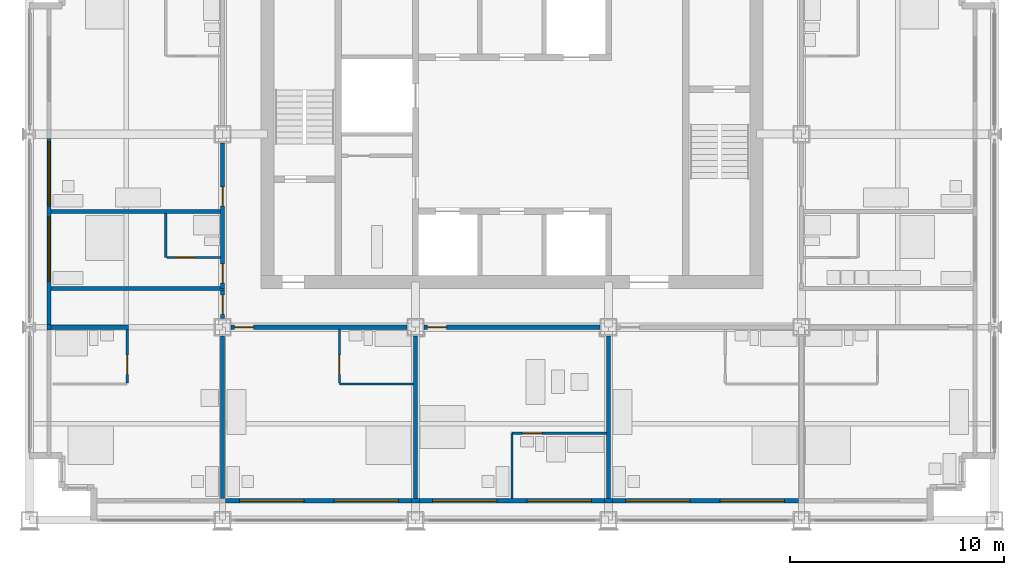
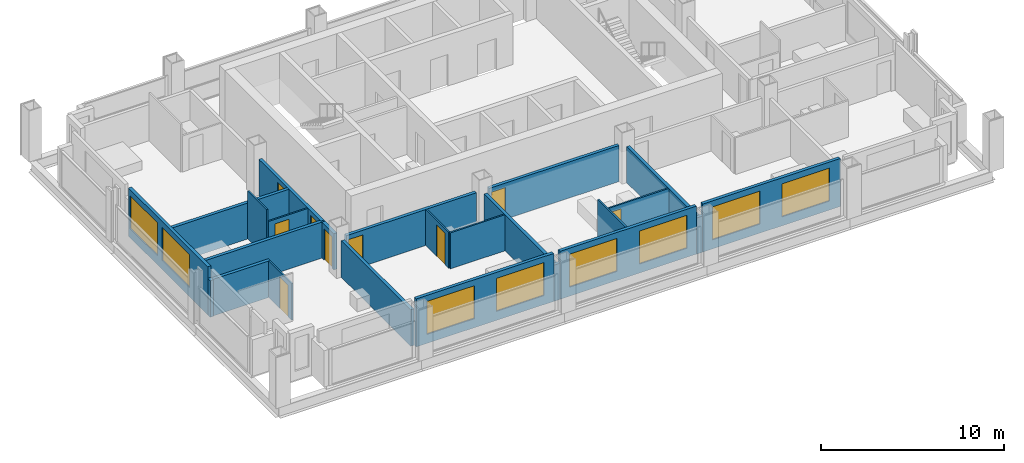
# One storey, part 7 of 13: 24 walls, 9 doors, 8 windows, 17 openings.
"""IFC4 building model written with IfcOpenShell, lengths in metres."""

from ifc_helpers import new_model, si_unit, direction, frame, frame_2d, origin, place, context, subcontext, project, spatial, rectangle, extrude, material, layer, layer_set, type_object, element, fill, save


model = new_model("IFC4")

# Units and contexts
model_context = context("Model", 3, precision=1e-05, world=origin(), true_north=direction((0.0, 1.0)))
body_context = subcontext(model_context, "Body", "Model", "MODEL_VIEW")
ifc_project = project(units=[si_unit("LENGTHUNIT", "METRE"), si_unit("AREAUNIT", "SQUARE_METRE"), si_unit("VOLUMEUNIT", "CUBIC_METRE"), si_unit("PLANEANGLEUNIT", "RADIAN"), si_unit("MASSUNIT", "GRAM", prefix="KILO")], contexts=[model_context])

# Site, building, storey
site_placement = place(None, origin())
site = spatial("IfcSite", under=ifc_project, at=site_placement, CompositionType="ELEMENT")
building_placement = place(site_placement, origin())
building = spatial("IfcBuilding", under=site, at=building_placement, Name="Loomwork Tower", CompositionType="ELEMENT")
storey_placement = place(building_placement, frame((0.0, 0.0, 177.39990234375)))
storey = spatial("IfcBuildingStorey", under=building, at=storey_placement, Name="L48", CompositionType="ELEMENT", Elevation=177.39990234375)

# Wall
ifc_material_1 = material(Name="Gypsum board on steel studs, one-hour", Category="steel")
ifc_layer_1 = layer(ifc_material_1, 0.199951171875)
ifc_layer_set_1 = layer_set([ifc_layer_1], Name="Corridor wall 200")
wall_type_1 = type_object("IfcWallType", Name="Corridor wall 200", PredefinedType="PARTITIONING", material=ifc_layer_set_1)
wall_1_placement = place(storey_placement, frame((1.0, 9.0, 0.0), z_axis=(0.0, 0.0, 1.0), x_axis=(1.0, 0.0, 0.0)))
element("IfcWall", 1, at=wall_1_placement, inside=storey, type_object=wall_type_1, Name="South corridor wall 1", PredefinedType="PARTITIONING", context=body_context, shape_type="SweptSolid", body=[
    extrude(rectangle(XDim=3.60009765625, YDim=0.199951171875, at=frame_2d((1.800048828125, 0.0))), origin(), (0.0, 0.0, 1.0), 2.43798828125),
])

# Wall, opening, door
wall_2_placement = place(storey_placement, frame((9.39990234375, 9.0, 0.0), z_axis=(0.0, 0.0, 1.0), x_axis=(1.0, 0.0, 0.0)))
wall_2 = element("IfcWall", 2, at=wall_2_placement, inside=storey, type_object=wall_type_1, Name="South corridor wall 2", PredefinedType="PARTITIONING", context=body_context, shape_type="SweptSolid", body=[
    extrude(rectangle(XDim=8.2001953125, YDim=0.199951171875, at=frame_2d((4.10009765625, 0.0))), origin(), (0.0, 0.0, 1.0), 2.405029296875),
])
opening_1_placement = place(wall_2_placement, frame((0.14990234375, 0.0, 0.0)))
opening_1 = element("IfcOpeningElement", 3, at=opening_1_placement, cuts=wall_2, Name="Opening D1", PredefinedType="OPENING", context=body_context, shape_type="SweptSolid", body=[
    extrude(rectangle(XDim=0.89990234375, YDim=2.10009765625, at=frame_2d((0.449951171875, 1.050048828125))), frame((0.0, 0.10986328125, 0.0), z_axis=(0.0, -1.0, 0.0), x_axis=(1.0, 0.0, 0.0)), (0.0, 0.0, 1.0), 0.219970703125),
])
ifc_material_2 = material(Name="Hollow metal door and frame")
door_type_1 = type_object("IfcDoorType", Name="Guest room entry door 900", OperationType="SINGLE_SWING_LEFT", PredefinedType="DOOR", material=ifc_material_2)
door_1_placement = place(opening_1_placement, frame((0.89990234375, 0.0, 0.0), z_axis=(0.0, 0.0, 1.0), x_axis=(-1.0, 0.0, 0.0)))
door_1 = element("IfcDoor", 4, at=door_1_placement, inside=storey, type_object=door_type_1, Name="Guest room entry door L48 2", OperationType="SINGLE_SWING_RIGHT", OverallHeight=2.10009765625, OverallWidth=0.89990234375, PredefinedType="DOOR", context=body_context, shape_type="SweptSolid", body=[
    extrude(rectangle(XDim=0.89990234375, YDim=2.10009765625, at=frame_2d((0.449951171875, 1.050048828125))), frame((0.0, 0.02490234375, 0.0), z_axis=(0.0, -1.0, 0.0), x_axis=(1.0, 0.0, 0.0)), (0.0, 0.0, 1.0), 0.050048828125),
])
fill(opening_1, door_1)

wall_3_placement = place(storey_placement, frame((18.39990234375, 9.0, 0.0), z_axis=(0.0, 0.0, 1.0), x_axis=(1.0, 0.0, 0.0)))
wall_3 = element("IfcWall", 5, at=wall_3_placement, inside=storey, type_object=wall_type_1, Name="South corridor wall 3", PredefinedType="PARTITIONING", context=body_context, shape_type="SweptSolid", body=[
    extrude(rectangle(XDim=8.2001953125, YDim=0.199951171875, at=frame_2d((4.10009765625, 0.0))), origin(), (0.0, 0.0, 1.0), 2.405029296875),
])
opening_2_placement = place(wall_3_placement, frame((0.14990234375, 0.0, 0.0)))
opening_2 = element("IfcOpeningElement", 6, at=opening_2_placement, cuts=wall_3, Name="Opening D1", PredefinedType="OPENING", context=body_context, shape_type="SweptSolid", body=[
    extrude(rectangle(XDim=0.89990234375, YDim=2.10009765625, at=frame_2d((0.449951171875, 1.050048828125))), frame((0.0, 0.10986328125, 0.0), z_axis=(0.0, -1.0, 0.0), x_axis=(1.0, 0.0, 0.0)), (0.0, 0.0, 1.0), 0.219970703125),
])
door_2_placement = place(opening_2_placement, frame((0.89990234375, 0.0, 0.0), z_axis=(0.0, 0.0, 1.0), x_axis=(-1.0, 0.0, 0.0)))
door_2 = element("IfcDoor", 7, at=door_2_placement, inside=storey, type_object=door_type_1, Name="Guest room entry door L48 3", OperationType="SINGLE_SWING_RIGHT", OverallHeight=2.10009765625, OverallWidth=0.89990234375, PredefinedType="DOOR", context=body_context, shape_type="SweptSolid", body=[
    extrude(rectangle(XDim=0.89990234375, YDim=2.10009765625, at=frame_2d((0.449951171875, 1.050048828125))), frame((0.0, 0.02490234375, 0.0), z_axis=(0.0, -1.0, 0.0), x_axis=(1.0, 0.0, 0.0)), (0.0, 0.0, 1.0), 0.050048828125),
])
fill(opening_2, door_2)

# Wall, openings, doors
wall_4_placement = place(storey_placement, frame((9.0, 10.800048828125, 0.0), z_axis=(0.0, 0.0, 1.0), x_axis=(0.0, 1.0, 0.0)))
wall_4 = element("IfcWall", 8, at=wall_4_placement, inside=storey, type_object=wall_type_1, Name="West corridor wall 1", PredefinedType="PARTITIONING", context=body_context, shape_type="SweptSolid", body=[
    extrude(rectangle(XDim=6.800048828125, YDim=0.199951171875, at=frame_2d((3.39990234375, 0.0))), origin(), (0.0, 0.0, 1.0), 2.405029296875),
])
opening_3_placement = place(wall_4_placement, frame((0.25, 0.0, 0.0)))
opening_3 = element("IfcOpeningElement", 9, at=opening_3_placement, cuts=wall_4, Name="Opening D1", PredefinedType="OPENING", context=body_context, shape_type="SweptSolid", body=[
    extrude(rectangle(XDim=0.89990234375, YDim=2.10009765625, at=frame_2d((0.449951171875, 1.050048828125))), frame((0.0, 0.10986328125, 0.0), z_axis=(0.0, -1.0, 0.0), x_axis=(1.0, 0.0, 0.0)), (0.0, 0.0, 1.0), 0.219970703125),
])
opening_4_placement = place(wall_4_placement, frame((3.85009765625, 0.0, 0.0)))
opening_4 = element("IfcOpeningElement", 10, at=opening_4_placement, cuts=wall_4, Name="Opening D1", PredefinedType="OPENING", context=body_context, shape_type="SweptSolid", body=[
    extrude(rectangle(XDim=0.89990234375, YDim=2.10009765625, at=frame_2d((0.449951171875, 1.050048828125))), frame((0.0, 0.10986328125, 0.0), z_axis=(0.0, -1.0, 0.0), x_axis=(1.0, 0.0, 0.0)), (0.0, 0.0, 1.0), 0.219970703125),
])
door_3_placement = place(opening_3_placement, origin())
door_3 = element("IfcDoor", 11, at=door_3_placement, inside=storey, type_object=door_type_1, Name="Guest room entry door L48 6", OperationType="SINGLE_SWING_LEFT", OverallHeight=2.10009765625, OverallWidth=0.89990234375, PredefinedType="DOOR", context=body_context, shape_type="SweptSolid", body=[
    extrude(rectangle(XDim=0.89990234375, YDim=2.10009765625, at=frame_2d((0.449951171875, 1.050048828125))), frame((0.0, 0.02490234375, 0.0), z_axis=(0.0, -1.0, 0.0), x_axis=(1.0, 0.0, 0.0)), (0.0, 0.0, 1.0), 0.050048828125),
])
fill(opening_3, door_3)
door_4_placement = place(opening_4_placement, origin())
door_4 = element("IfcDoor", 12, at=door_4_placement, inside=storey, type_object=door_type_1, Name="Guest room entry door L48 7", OperationType="SINGLE_SWING_LEFT", OverallHeight=2.10009765625, OverallWidth=0.89990234375, PredefinedType="DOOR", context=body_context, shape_type="SweptSolid", body=[
    extrude(rectangle(XDim=0.89990234375, YDim=2.10009765625, at=frame_2d((0.449951171875, 1.050048828125))), frame((0.0, 0.02490234375, 0.0), z_axis=(0.0, -1.0, 0.0), x_axis=(1.0, 0.0, 0.0)), (0.0, 0.0, 1.0), 0.050048828125),
])
fill(opening_4, door_4)

# Wall
wall_5_placement = place(storey_placement, frame((1.0, 10.800048828125, 0.0), z_axis=(0.0, 0.0, 1.0), x_axis=(1.0, 0.0, 0.0)))
element("IfcWall", 13, at=wall_5_placement, inside=storey, type_object=wall_type_1, Name="West band end wall S", PredefinedType="PARTITIONING", context=body_context, shape_type="SweptSolid", body=[
    extrude(rectangle(XDim=8.10009765625, YDim=0.199951171875, at=frame_2d((4.050048828125, 0.0))), origin(), (0.0, 0.0, 1.0), 2.404052734375),
])

# Wall, opening, door
wall_6_placement = place(storey_placement, frame((9.0, 9.39990234375, 0.0), z_axis=(0.0, 0.0, 1.0), x_axis=(0.0, 1.0, 0.0)))
wall_6 = element("IfcWall", 14, at=wall_6_placement, inside=storey, type_object=wall_type_1, Name="Corner suite foyer wall", PredefinedType="PARTITIONING", context=body_context, shape_type="SweptSolid", body=[
    extrude(rectangle(XDim=1.300048828125, YDim=0.199951171875, at=frame_2d((0.64990234375, 0.0))), origin(), (0.0, 0.0, 1.0), 2.405029296875),
])
opening_5_placement = place(wall_6_placement, frame((0.199951171875, 0.0, 0.0)))
opening_5 = element("IfcOpeningElement", 15, at=opening_5_placement, cuts=wall_6, Name="Opening D1", PredefinedType="OPENING", context=body_context, shape_type="SweptSolid", body=[
    extrude(rectangle(XDim=0.89990234375, YDim=2.10009765625, at=frame_2d((0.449951171875, 1.050048828125))), frame((0.0, 0.10986328125, 0.0), z_axis=(0.0, -1.0, 0.0), x_axis=(1.0, 0.0, 0.0)), (0.0, 0.0, 1.0), 0.219970703125),
])
door_5_placement = place(opening_5_placement, origin())
door_5 = element("IfcDoor", 16, at=door_5_placement, inside=storey, type_object=door_type_1, Name="Guest room entry door L48 1", OperationType="SINGLE_SWING_RIGHT", OverallHeight=2.10009765625, OverallWidth=0.89990234375, PredefinedType="DOOR", context=body_context, shape_type="SweptSolid", body=[
    extrude(rectangle(XDim=0.89990234375, YDim=2.10009765625, at=frame_2d((0.449951171875, 1.050048828125))), frame((0.0, 0.02490234375, 0.0), z_axis=(0.0, -1.0, 0.0), x_axis=(1.0, 0.0, 0.0)), (0.0, 0.0, 1.0), 0.050048828125),
])
fill(opening_5, door_5)

ifc_material_3 = material(Name="Cement board on steel studs", Category="steel")
ifc_layer_2 = layer(ifc_material_3, 0.10009765625)
ifc_layer_set_2 = layer_set([ifc_layer_2], Name="En-suite partition 100")
wall_type_2 = type_object("IfcWallType", Name="En-suite partition 100", PredefinedType="PARTITIONING", material=ifc_layer_set_2)
wall_7_placement = place(storey_placement, frame((4.550048828125, 8.89990234375, 0.0), z_axis=(0.0, 0.0, 1.0), x_axis=(0.0, -1.0, 0.0)))
wall_7 = element("IfcWall", 17, at=wall_7_placement, inside=storey, type_object=wall_type_2, Name="En-suite side wall L48 room 1", PredefinedType="PARTITIONING", context=body_context, shape_type="SweptSolid", body=[
    extrude(rectangle(XDim=2.5, YDim=0.10009765625, at=frame_2d((1.25, 0.0))), origin(), (0.0, 0.0, 1.0), 2.43798828125),
])
opening_6_placement = place(wall_7_placement, frame((1.199951171875, 0.0, 0.0)))
opening_6 = element("IfcOpeningElement", 18, at=opening_6_placement, cuts=wall_7, Name="Opening D3", PredefinedType="OPENING", context=body_context, shape_type="SweptSolid", body=[
    extrude(rectangle(XDim=0.89990234375, YDim=2.10009765625, at=frame_2d((0.449951171875, 1.050048828125))), frame((0.0, 0.06005859375, 0.0), z_axis=(0.0, -1.0, 0.0), x_axis=(1.0, 0.0, 0.0)), (0.0, 0.0, 1.0), 0.1201171875),
])
ifc_material_4 = material(Name="Hollow metal door and frame")
door_type_2 = type_object("IfcDoorType", Name="Accessible en-suite door 900", OperationType="SLIDING_TO_LEFT", PredefinedType="DOOR", material=ifc_material_4)
door_6_placement = place(opening_6_placement, origin())
door_6 = element("IfcDoor", 19, at=door_6_placement, inside=storey, type_object=door_type_2, Name="Accessible en-suite door room 1", OperationType="SLIDING_TO_LEFT", OverallHeight=2.10009765625, OverallWidth=0.89990234375, PredefinedType="DOOR", context=body_context, shape_type="SweptSolid", body=[
    extrude(rectangle(XDim=0.89990234375, YDim=2.10009765625, at=frame_2d((0.449951171875, 1.050048828125))), frame((0.0, 0.02490234375, 0.0), z_axis=(0.0, -1.0, 0.0), x_axis=(1.0, 0.0, 0.0)), (0.0, 0.0, 1.0), 0.050048828125),
])
fill(opening_6, door_6)

# Wall
wall_8_placement = place(storey_placement, frame((14.449951171875, 6.35009765625, 0.0), z_axis=(0.0, 0.0, 1.0), x_axis=(1.0, 0.0, 0.0)))
element("IfcWall", 20, at=wall_8_placement, inside=storey, type_object=wall_type_2, Name="En-suite wall L48 room 2", PredefinedType="PARTITIONING", context=body_context, shape_type="SweptSolid", body=[
    extrude(rectangle(XDim=3.449951171875, YDim=0.10009765625, at=frame_2d((1.72509765625, 0.0))), origin(), (0.0, 0.0, 1.0), 2.404052734375),
])

# Wall, opening, door
wall_9_placement = place(storey_placement, frame((14.449951171875, 8.89990234375, 0.0), z_axis=(0.0, 0.0, 1.0), x_axis=(0.0, -1.0, 0.0)))
wall_9 = element("IfcWall", 21, at=wall_9_placement, inside=storey, type_object=wall_type_2, Name="En-suite side wall L48 room 2", PredefinedType="PARTITIONING", context=body_context, shape_type="SweptSolid", body=[
    extrude(rectangle(XDim=2.5, YDim=0.10009765625, at=frame_2d((1.25, 0.0))), origin(), (0.0, 0.0, 1.0), 2.404052734375),
])
opening_7_placement = place(wall_9_placement, frame((1.199951171875, 0.0, 0.0)))
opening_7 = element("IfcOpeningElement", 22, at=opening_7_placement, cuts=wall_9, Name="Opening D2", PredefinedType="OPENING", context=body_context, shape_type="SweptSolid", body=[
    extrude(rectangle(XDim=0.89990234375, YDim=2.10009765625, at=frame_2d((0.449951171875, 1.050048828125))), frame((0.0, 0.06005859375, 0.0), z_axis=(0.0, -1.0, 0.0), x_axis=(1.0, 0.0, 0.0)), (0.0, 0.0, 1.0), 0.1201171875),
])
ifc_material_5 = material(Name="Hollow metal door and frame")
door_type_3 = type_object("IfcDoorType", Name="En-suite door 900", OperationType="SINGLE_SWING_LEFT", PredefinedType="DOOR", material=ifc_material_5)
door_7_placement = place(opening_7_placement, origin())
door_7 = element("IfcDoor", 23, at=door_7_placement, inside=storey, type_object=door_type_3, Name="En-suite door room 2", OperationType="SINGLE_SWING_RIGHT", OverallHeight=2.10009765625, OverallWidth=0.89990234375, PredefinedType="DOOR", context=body_context, shape_type="SweptSolid", body=[
    extrude(rectangle(XDim=0.89990234375, YDim=2.10009765625, at=frame_2d((0.449951171875, 1.050048828125))), frame((0.0, 0.02490234375, 0.0), z_axis=(0.0, -1.0, 0.0), x_axis=(1.0, 0.0, 0.0)), (0.0, 0.0, 1.0), 0.050048828125),
])
fill(opening_7, door_7)

wall_10_placement = place(storey_placement, frame((22.5, 4.050048828125, 0.0), z_axis=(0.0, 0.0, 1.0), x_axis=(1.0, 0.0, 0.0)))
wall_10 = element("IfcWall", 24, at=wall_10_placement, inside=storey, type_object=wall_type_2, Name="Spa bathroom wall L48 room 3", PredefinedType="PARTITIONING", context=body_context, shape_type="SweptSolid", body=[
    extrude(rectangle(XDim=4.39990234375, YDim=0.10009765625, at=frame_2d((2.199951171875, 0.0))), origin(), (0.0, 0.0, 1.0), 2.404052734375),
])
opening_8_placement = place(wall_10_placement, frame((0.5, 0.0, 0.0)))
opening_8 = element("IfcOpeningElement", 25, at=opening_8_placement, cuts=wall_10, Name="Opening D2", PredefinedType="OPENING", context=body_context, shape_type="SweptSolid", body=[
    extrude(rectangle(XDim=0.89990234375, YDim=2.10009765625, at=frame_2d((0.449951171875, 1.050048828125))), frame((0.0, 0.06005859375, 0.0), z_axis=(0.0, -1.0, 0.0), x_axis=(1.0, 0.0, 0.0)), (0.0, 0.0, 1.0), 0.1201171875),
])
door_8_placement = place(opening_8_placement, frame((0.89990234375, 0.0, 0.0), z_axis=(0.0, 0.0, 1.0), x_axis=(-1.0, 0.0, 0.0)))
door_8 = element("IfcDoor", 26, at=door_8_placement, inside=storey, type_object=door_type_3, Name="Spa bathroom door room 3", OperationType="SINGLE_SWING_RIGHT", OverallHeight=2.10009765625, OverallWidth=0.89990234375, PredefinedType="DOOR", context=body_context, shape_type="SweptSolid", body=[
    extrude(rectangle(XDim=0.89990234375, YDim=2.10009765625, at=frame_2d((0.449951171875, 1.050048828125))), frame((0.0, 0.02490234375, 0.0), z_axis=(0.0, -1.0, 0.0), x_axis=(1.0, 0.0, 0.0)), (0.0, 0.0, 1.0), 0.050048828125),
])
fill(opening_8, door_8)

# Walls
wall_11_placement = place(storey_placement, frame((22.5, 4.050048828125, 0.0), z_axis=(0.0, 0.0, 1.0), x_axis=(0.0, -1.0, 0.0)))
element("IfcWall", 27, at=wall_11_placement, inside=storey, type_object=wall_type_2, Name="Spa bathroom side wall L48 room 3", PredefinedType="PARTITIONING", context=body_context, shape_type="SweptSolid", body=[
    extrude(rectangle(XDim=3.050048828125, YDim=0.10009765625, at=frame_2d((1.52490234375, 0.0))), origin(), (0.0, 0.0, 1.0), 3.2001953125),
])
wall_12_placement = place(storey_placement, frame((6.35009765625, 12.25, 0.0), z_axis=(0.0, 0.0, 1.0), x_axis=(0.0, 1.0, 0.0)))
element("IfcWall", 28, at=wall_12_placement, inside=storey, type_object=wall_type_2, Name="En-suite wall L48 room 6", PredefinedType="PARTITIONING", context=body_context, shape_type="SweptSolid", body=[
    extrude(rectangle(XDim=2.050048828125, YDim=0.10009765625, at=frame_2d((1.02490234375, 0.0))), origin(), (0.0, 0.0, 1.0), 3.2001953125),
])

# Wall, opening, door
wall_13_placement = place(storey_placement, frame((8.89990234375, 12.25, 0.0), z_axis=(0.0, 0.0, 1.0), x_axis=(-1.0, 0.0, 0.0)))
wall_13 = element("IfcWall", 29, at=wall_13_placement, inside=storey, type_object=wall_type_2, Name="En-suite side wall L48 room 6", PredefinedType="PARTITIONING", context=body_context, shape_type="SweptSolid", body=[
    extrude(rectangle(XDim=2.5, YDim=0.10009765625, at=frame_2d((1.25, 0.0))), origin(), (0.0, 0.0, 1.0), 2.404052734375),
])
opening_9_placement = place(wall_13_placement, frame((1.199951171875, 0.0, 0.0)))
opening_9 = element("IfcOpeningElement", 30, at=opening_9_placement, cuts=wall_13, Name="Opening D2", PredefinedType="OPENING", context=body_context, shape_type="SweptSolid", body=[
    extrude(rectangle(XDim=0.89990234375, YDim=2.10009765625, at=frame_2d((0.449951171875, 1.050048828125))), frame((0.0, 0.06005859375, 0.0), z_axis=(0.0, -1.0, 0.0), x_axis=(1.0, 0.0, 0.0)), (0.0, 0.0, 1.0), 0.1201171875),
])
door_9_placement = place(opening_9_placement, frame((0.89990234375, 0.0, 0.0), z_axis=(0.0, 0.0, 1.0), x_axis=(-1.0, 0.0, 0.0)))
door_9 = element("IfcDoor", 31, at=door_9_placement, inside=storey, type_object=door_type_3, Name="En-suite door room 6", OperationType="SINGLE_SWING_LEFT", OverallHeight=2.10009765625, OverallWidth=0.89990234375, PredefinedType="DOOR", context=body_context, shape_type="SweptSolid", body=[
    extrude(rectangle(XDim=0.89990234375, YDim=2.10009765625, at=frame_2d((0.449951171875, 1.050048828125))), frame((0.0, 0.02490234375, 0.0), z_axis=(0.0, -1.0, 0.0), x_axis=(1.0, 0.0, 0.0)), (0.0, 0.0, 1.0), 0.050048828125),
])
fill(opening_9, door_9)

# Walls
ifc_material_6 = material(Name="Gypsum board on steel studs, acoustic", Category="steel")
ifc_layer_3 = layer(ifc_material_6, 0.199951171875)
ifc_layer_set_3 = layer_set([ifc_layer_3], Name="Guest room party wall 200")
wall_type_3 = type_object("IfcWallType", Name="Guest room party wall 200", PredefinedType="PARTITIONING", material=ifc_layer_set_3)
wall_14_placement = place(storey_placement, frame((9.0, 8.60009765625, 0.0), z_axis=(0.0, 0.0, 1.0), x_axis=(0.0, -1.0, 0.0)))
element("IfcWall", 32, at=wall_14_placement, inside=storey, type_object=wall_type_3, Name="Guest room party wall S 9", PredefinedType="PARTITIONING", context=body_context, shape_type="SweptSolid", body=[
    extrude(rectangle(XDim=7.60009765625, YDim=0.199951171875, at=frame_2d((3.800048828125, 0.0))), origin(), (0.0, 0.0, 1.0), 2.43798828125),
])
for number, where, z_axis, x_axis, name in (
    (33, (18.0, 8.60009765625, 0.0), (0.0, 0.0, 1.0), (0.0, -1.0, 0.0), "Guest room party wall S 18"),
    (34, (27.0, 8.60009765625, 0.0), (0.0, 0.0, 1.0), (0.0, -1.0, 0.0), "Guest room party wall S 27"),
):
    element("IfcWall", number, at=place(storey_placement, frame(where, z_axis=z_axis, x_axis=x_axis)), inside=storey, type_object=wall_type_3, Name=name, PredefinedType="PARTITIONING", context=body_context, shape_type="SweptSolid", body=[
        extrude(rectangle(XDim=7.60009765625, YDim=0.199951171875, at=frame_2d((3.800048828125, 0.0))), origin(), (0.0, 0.0, 1.0), 2.405029296875),
    ])
wall_15_placement = place(storey_placement, frame((8.89990234375, 14.39990234375, 0.0), z_axis=(0.0, 0.0, 1.0), x_axis=(-1.0, 0.0, 0.0)))
element("IfcWall", 35, at=wall_15_placement, inside=storey, type_object=wall_type_3, Name="Guest room party wall W 14.4", PredefinedType="PARTITIONING", context=body_context, shape_type="SweptSolid", body=[
    extrude(rectangle(XDim=7.89990234375, YDim=0.199951171875, at=frame_2d((3.949951171875, 0.0))), origin(), (0.0, 0.0, 1.0), 2.404052734375),
])

# Wall, openings, windows
ifc_material_7 = material(Name="Insulated steel stud wall with gypsum lining", Category="steel")
ifc_layer_4 = layer(ifc_material_7, 0.199951171875)
ifc_layer_set_4 = layer_set([ifc_layer_4], Name="Inner skin wall 200")
wall_type_4 = type_object("IfcWallType", Name="Inner skin wall 200", PredefinedType="SOLIDWALL", material=ifc_layer_set_4)
wall_16_placement = place(storey_placement, frame((9.13525390625, 0.89990234375, 0.0), z_axis=(0.0, 0.0, 1.0), x_axis=(1.0, 0.0, 0.0)))
wall_16 = element("IfcWall", 36, at=wall_16_placement, inside=storey, type_object=wall_type_4, Name="Inner skin wall S bay 3", PredefinedType="SOLIDWALL", context=body_context, shape_type="SweptSolid", body=[
    extrude(rectangle(XDim=8.6708984375, YDim=0.199951171875, at=frame_2d((4.33544921875, 0.0))), origin(), (0.0, 0.0, 1.0), 3.2001953125),
])
opening_10_placement = place(wall_16_placement, frame((0.664794921875, 0.0, 0.60009765625)))
opening_10 = element("IfcOpeningElement", 37, at=opening_10_placement, cuts=wall_16, Name="Opening CH1", PredefinedType="OPENING", context=body_context, shape_type="SweptSolid", body=[
    extrude(rectangle(XDim=3.0, YDim=2.199951171875, at=frame_2d((1.5, 1.10009765625))), frame((0.0, 0.10986328125, 0.0), z_axis=(0.0, -1.0, 0.0), x_axis=(1.0, 0.0, 0.0)), (0.0, 0.0, 1.0), 0.219970703125),
])
opening_11_placement = place(wall_16_placement, frame((5.064697265625, 0.0, 0.60009765625)))
opening_11 = element("IfcOpeningElement", 38, at=opening_11_placement, cuts=wall_16, Name="Opening CH1", PredefinedType="OPENING", context=body_context, shape_type="SweptSolid", body=[
    extrude(rectangle(XDim=3.0, YDim=2.199951171875, at=frame_2d((1.5, 1.10009765625))), frame((0.0, 0.10986328125, 0.0), z_axis=(0.0, -1.0, 0.0), x_axis=(1.0, 0.0, 0.0)), (0.0, 0.0, 1.0), 0.219970703125),
])
ifc_material_8 = material(Name="Aluminium frame with clear insulated glass", Category="aluminium")
window_type = type_object("IfcWindowType", Name="Chicago window 3000", PartitioningType="TRIPLE_PANEL_VERTICAL", PredefinedType="WINDOW", material=ifc_material_8)
window_1_placement = place(opening_10_placement, origin())
window_1 = element("IfcWindow", 39, at=window_1_placement, inside=storey, type_object=window_type, Name="Chicago window L48 bay 2", OverallHeight=2.199951171875, OverallWidth=3.0, PartitioningType="TRIPLE_PANEL_VERTICAL", PredefinedType="WINDOW", context=body_context, shape_type="SweptSolid", body=[
    extrude(rectangle(XDim=3.0, YDim=2.199951171875, at=frame_2d((1.5, 1.10009765625))), frame((0.0, 0.030029296875, 0.0), z_axis=(0.0, -1.0, 0.0), x_axis=(1.0, 0.0, 0.0)), (0.0, 0.0, 1.0), 0.06005859375),
])
fill(opening_10, window_1)
window_2_placement = place(opening_11_placement, origin())
window_2 = element("IfcWindow", 40, at=window_2_placement, inside=storey, type_object=window_type, Name="Chicago window L48 bay 2", OverallHeight=2.199951171875, OverallWidth=3.0, PartitioningType="TRIPLE_PANEL_VERTICAL", PredefinedType="WINDOW", context=body_context, shape_type="SweptSolid", body=[
    extrude(rectangle(XDim=3.0, YDim=2.199951171875, at=frame_2d((1.5, 1.10009765625))), frame((0.0, 0.030029296875, 0.0), z_axis=(0.0, -1.0, 0.0), x_axis=(1.0, 0.0, 0.0)), (0.0, 0.0, 1.0), 0.06005859375),
])
fill(opening_11, window_2)

# Wall
wall_17_placement = place(storey_placement, frame((17.80615234375, 0.89990234375, 0.0), z_axis=(0.0, 0.0, 1.0), x_axis=(1.0, 0.0, 0.0)))
element("IfcWall", 41, at=wall_17_placement, inside=storey, type_object=wall_type_4, Name="Inner skin wall S bay 4", PredefinedType="SOLIDWALL", context=body_context, shape_type="SweptSolid", body=[
    extrude(rectangle(XDim=0.3876953125, YDim=0.199951171875, at=frame_2d((0.19384765625, 0.0))), origin(), (0.0, 0.0, 1.0), 2.404052734375),
])

# Wall, openings, windows
wall_18_placement = place(storey_placement, frame((18.19384765625, 0.89990234375, 0.0), z_axis=(0.0, 0.0, 1.0), x_axis=(1.0, 0.0, 0.0)))
wall_18 = element("IfcWall", 42, at=wall_18_placement, inside=storey, type_object=wall_type_4, Name="Inner skin wall S bay 5", PredefinedType="SOLIDWALL", context=body_context, shape_type="SweptSolid", body=[
    extrude(rectangle(XDim=8.6123046875, YDim=0.199951171875, at=frame_2d((4.30615234375, 0.0))), origin(), (0.0, 0.0, 1.0), 3.2001953125),
])
opening_12_placement = place(wall_18_placement, frame((0.606201171875, 0.0, 0.60009765625)))
opening_12 = element("IfcOpeningElement", 43, at=opening_12_placement, cuts=wall_18, Name="Opening CH1", PredefinedType="OPENING", context=body_context, shape_type="SweptSolid", body=[
    extrude(rectangle(XDim=3.0, YDim=2.199951171875, at=frame_2d((1.5, 1.10009765625))), frame((0.0, 0.10986328125, 0.0), z_axis=(0.0, -1.0, 0.0), x_axis=(1.0, 0.0, 0.0)), (0.0, 0.0, 1.0), 0.219970703125),
])
opening_13_placement = place(wall_18_placement, frame((5.006103515625, 0.0, 0.60009765625)))
opening_13 = element("IfcOpeningElement", 44, at=opening_13_placement, cuts=wall_18, Name="Opening CH1", PredefinedType="OPENING", context=body_context, shape_type="SweptSolid", body=[
    extrude(rectangle(XDim=3.0, YDim=2.199951171875, at=frame_2d((1.5, 1.10009765625))), frame((0.0, 0.10986328125, 0.0), z_axis=(0.0, -1.0, 0.0), x_axis=(1.0, 0.0, 0.0)), (0.0, 0.0, 1.0), 0.219970703125),
])
window_3_placement = place(opening_12_placement, origin())
window_3 = element("IfcWindow", 45, at=window_3_placement, inside=storey, type_object=window_type, Name="Chicago window L48 bay 3", OverallHeight=2.199951171875, OverallWidth=3.0, PartitioningType="TRIPLE_PANEL_VERTICAL", PredefinedType="WINDOW", context=body_context, shape_type="SweptSolid", body=[
    extrude(rectangle(XDim=3.0, YDim=2.199951171875, at=frame_2d((1.5, 1.10009765625))), frame((0.0, 0.030029296875, 0.0), z_axis=(0.0, -1.0, 0.0), x_axis=(1.0, 0.0, 0.0)), (0.0, 0.0, 1.0), 0.06005859375),
])
fill(opening_12, window_3)
window_4_placement = place(opening_13_placement, origin())
window_4 = element("IfcWindow", 46, at=window_4_placement, inside=storey, type_object=window_type, Name="Chicago window L48 bay 3", OverallHeight=2.199951171875, OverallWidth=3.0, PartitioningType="TRIPLE_PANEL_VERTICAL", PredefinedType="WINDOW", context=body_context, shape_type="SweptSolid", body=[
    extrude(rectangle(XDim=3.0, YDim=2.199951171875, at=frame_2d((1.5, 1.10009765625))), frame((0.0, 0.030029296875, 0.0), z_axis=(0.0, -1.0, 0.0), x_axis=(1.0, 0.0, 0.0)), (0.0, 0.0, 1.0), 0.06005859375),
])
fill(opening_13, window_4)

# Wall
wall_19_placement = place(storey_placement, frame((26.80615234375, 0.89990234375, 0.0), z_axis=(0.0, 0.0, 1.0), x_axis=(1.0, 0.0, 0.0)))
element("IfcWall", 47, at=wall_19_placement, inside=storey, type_object=wall_type_4, Name="Inner skin wall S bay 6", PredefinedType="SOLIDWALL", context=body_context, shape_type="SweptSolid", body=[
    extrude(rectangle(XDim=0.3876953125, YDim=0.199951171875, at=frame_2d((0.19384765625, 0.0))), origin(), (0.0, 0.0, 1.0), 2.404052734375),
])

# Wall, openings, windows
wall_20_placement = place(storey_placement, frame((27.19384765625, 0.89990234375, 0.0), z_axis=(0.0, 0.0, 1.0), x_axis=(1.0, 0.0, 0.0)))
wall_20 = element("IfcWall", 48, at=wall_20_placement, inside=storey, type_object=wall_type_4, Name="Inner skin wall S bay 7", PredefinedType="SOLIDWALL", context=body_context, shape_type="SweptSolid", body=[
    extrude(rectangle(XDim=8.670654296875, YDim=0.199951171875, at=frame_2d((4.33544921875, 0.0))), origin(), (0.0, 0.0, 1.0), 3.2001953125),
])
opening_14_placement = place(wall_20_placement, frame((0.606201171875, 0.0, 0.60009765625)))
opening_14 = element("IfcOpeningElement", 49, at=opening_14_placement, cuts=wall_20, Name="Opening CH1", PredefinedType="OPENING", context=body_context, shape_type="SweptSolid", body=[
    extrude(rectangle(XDim=3.0, YDim=2.199951171875, at=frame_2d((1.5, 1.10009765625))), frame((0.0, 0.10986328125, 0.0), z_axis=(0.0, -1.0, 0.0), x_axis=(1.0, 0.0, 0.0)), (0.0, 0.0, 1.0), 0.219970703125),
])
opening_15_placement = place(wall_20_placement, frame((5.006103515625, 0.0, 0.60009765625)))
opening_15 = element("IfcOpeningElement", 50, at=opening_15_placement, cuts=wall_20, Name="Opening CH1", PredefinedType="OPENING", context=body_context, shape_type="SweptSolid", body=[
    extrude(rectangle(XDim=3.0, YDim=2.199951171875, at=frame_2d((1.5, 1.10009765625))), frame((0.0, 0.10986328125, 0.0), z_axis=(0.0, -1.0, 0.0), x_axis=(1.0, 0.0, 0.0)), (0.0, 0.0, 1.0), 0.219970703125),
])
window_5_placement = place(opening_14_placement, origin())
window_5 = element("IfcWindow", 51, at=window_5_placement, inside=storey, type_object=window_type, Name="Chicago window L48 bay 4", OverallHeight=2.199951171875, OverallWidth=3.0, PartitioningType="TRIPLE_PANEL_VERTICAL", PredefinedType="WINDOW", context=body_context, shape_type="SweptSolid", body=[
    extrude(rectangle(XDim=3.0, YDim=2.199951171875, at=frame_2d((1.5, 1.10009765625))), frame((0.0, 0.030029296875, 0.0), z_axis=(0.0, -1.0, 0.0), x_axis=(1.0, 0.0, 0.0)), (0.0, 0.0, 1.0), 0.06005859375),
])
fill(opening_14, window_5)
window_6_placement = place(opening_15_placement, origin())
window_6 = element("IfcWindow", 52, at=window_6_placement, inside=storey, type_object=window_type, Name="Chicago window L48 bay 4", OverallHeight=2.199951171875, OverallWidth=3.0, PartitioningType="TRIPLE_PANEL_VERTICAL", PredefinedType="WINDOW", context=body_context, shape_type="SweptSolid", body=[
    extrude(rectangle(XDim=3.0, YDim=2.199951171875, at=frame_2d((1.5, 1.10009765625))), frame((0.0, 0.030029296875, 0.0), z_axis=(0.0, -1.0, 0.0), x_axis=(1.0, 0.0, 0.0)), (0.0, 0.0, 1.0), 0.06005859375),
])
fill(opening_15, window_6)

# Wall
wall_21_placement = place(storey_placement, frame((0.89990234375, 8.86474609375, 0.0), z_axis=(0.0, 0.0, 1.0), x_axis=(0.0, 1.0, 0.0)))
element("IfcWall", 53, at=wall_21_placement, inside=storey, type_object=wall_type_4, Name="Inner skin wall W bay 4", PredefinedType="SOLIDWALL", context=body_context, shape_type="SweptSolid", body=[
    extrude(rectangle(XDim=0.2705078125, YDim=0.199951171875, at=frame_2d((0.13525390625, 0.0))), origin(), (0.0, 0.0, 1.0), 2.43798828125),
])

# Wall, openings, windows
wall_22_placement = place(storey_placement, frame((0.89990234375, 9.13525390625, 0.0), z_axis=(0.0, 0.0, 1.0), x_axis=(0.0, 1.0, 0.0)))
wall_22 = element("IfcWall", 54, at=wall_22_placement, inside=storey, type_object=wall_type_4, Name="Inner skin wall W bay 5", PredefinedType="SOLIDWALL", context=body_context, shape_type="SweptSolid", body=[
    extrude(rectangle(XDim=8.6708984375, YDim=0.199951171875, at=frame_2d((4.33544921875, 0.0))), origin(), (0.0, 0.0, 1.0), 3.2001953125),
])
opening_16_placement = place(wall_22_placement, frame((2.0146484375, 0.0, 0.60009765625)))
opening_16 = element("IfcOpeningElement", 55, at=opening_16_placement, cuts=wall_22, Name="Opening CH1", PredefinedType="OPENING", context=body_context, shape_type="SweptSolid", body=[
    extrude(rectangle(XDim=3.0, YDim=2.199951171875, at=frame_2d((1.5, 1.10009765625))), frame((0.0, 0.10986328125, 0.0), z_axis=(0.0, -1.0, 0.0), x_axis=(1.0, 0.0, 0.0)), (0.0, 0.0, 1.0), 0.219970703125),
])
opening_17_placement = place(wall_22_placement, frame((5.5146484375, 0.0, 0.60009765625)))
opening_17 = element("IfcOpeningElement", 56, at=opening_17_placement, cuts=wall_22, Name="Opening CH1", PredefinedType="OPENING", context=body_context, shape_type="SweptSolid", body=[
    extrude(rectangle(XDim=3.0, YDim=2.199951171875, at=frame_2d((1.5, 1.10009765625))), frame((0.0, 0.10986328125, 0.0), z_axis=(0.0, -1.0, 0.0), x_axis=(1.0, 0.0, 0.0)), (0.0, 0.0, 1.0), 0.219970703125),
])
window_7_placement = place(opening_16_placement, origin())
window_7 = element("IfcWindow", 57, at=window_7_placement, inside=storey, type_object=window_type, Name="Chicago window L48 bay 6", OverallHeight=2.199951171875, OverallWidth=3.0, PartitioningType="TRIPLE_PANEL_VERTICAL", PredefinedType="WINDOW", context=body_context, shape_type="SweptSolid", body=[
    extrude(rectangle(XDim=3.0, YDim=2.199951171875, at=frame_2d((1.5, 1.10009765625))), frame((0.0, 0.030029296875, 0.0), z_axis=(0.0, -1.0, 0.0), x_axis=(1.0, 0.0, 0.0)), (0.0, 0.0, 1.0), 0.06005859375),
])
fill(opening_16, window_7)
window_8_placement = place(opening_17_placement, origin())
window_8 = element("IfcWindow", 58, at=window_8_placement, inside=storey, type_object=window_type, Name="Chicago window L48 bay 6", OverallHeight=2.199951171875, OverallWidth=3.0, PartitioningType="TRIPLE_PANEL_VERTICAL", PredefinedType="WINDOW", context=body_context, shape_type="SweptSolid", body=[
    extrude(rectangle(XDim=3.0, YDim=2.199951171875, at=frame_2d((1.5, 1.10009765625))), frame((0.0, 0.030029296875, 0.0), z_axis=(0.0, -1.0, 0.0), x_axis=(1.0, 0.0, 0.0)), (0.0, 0.0, 1.0), 0.06005859375),
])
fill(opening_17, window_8)

save(model, "model.ifc")
